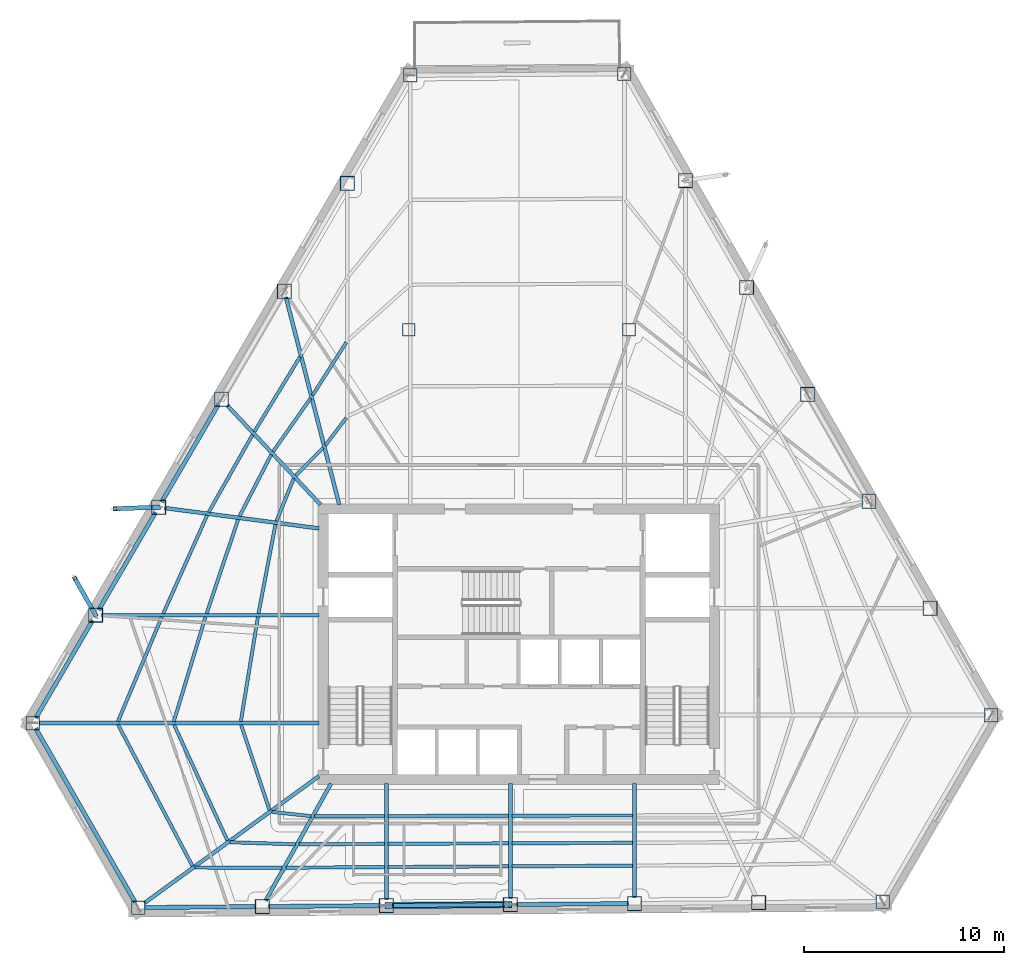
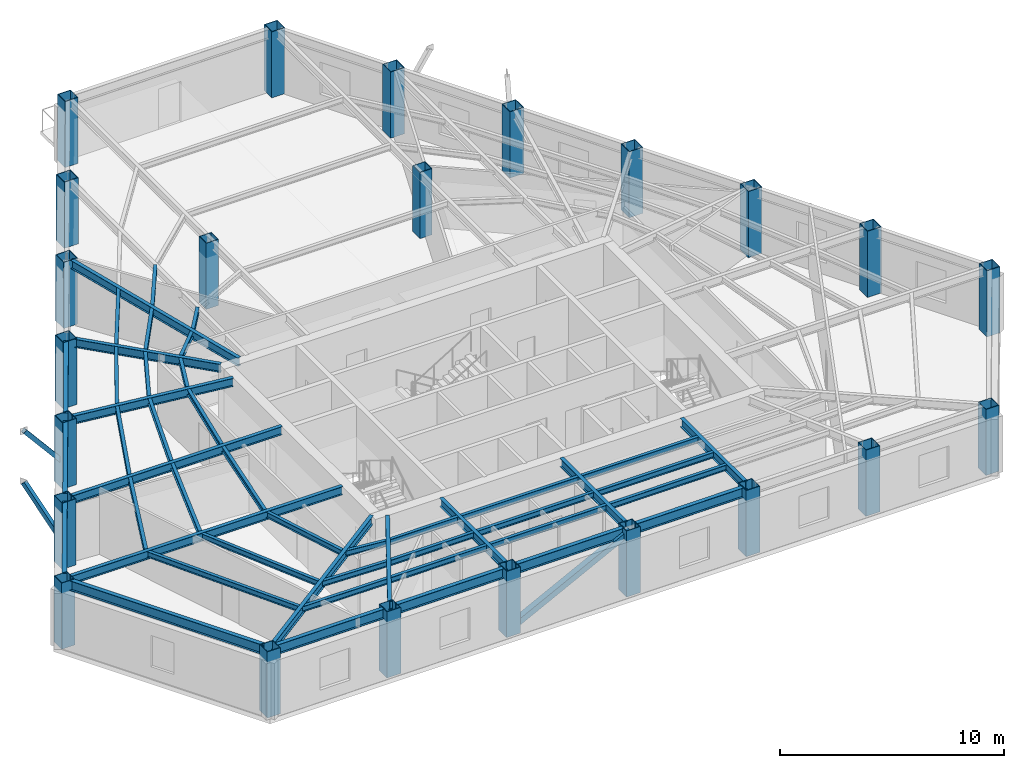
# One storey, part 1 of 12: 47 beams, 23 columns, 3 members.
"""IFC4 building model written with IfcOpenShell, lengths in metres."""

from ifc_helpers import new_model, si_unit, direction, frame, origin, origin_2d, place, context, subcontext, project, spatial, hollow_rectangle, i_section, extrude, material, material_profile, profile_set, type_object, element, save


model = new_model("IFC4")

# Units and contexts
model_context = context("Model", 3, precision=1e-05, world=origin(), true_north=direction((0.0, 1.0)))
body_context = subcontext(model_context, "Body", "Model", "MODEL_VIEW")
ifc_project = project(units=[si_unit("LENGTHUNIT", "METRE"), si_unit("AREAUNIT", "SQUARE_METRE"), si_unit("VOLUMEUNIT", "CUBIC_METRE"), si_unit("PLANEANGLEUNIT", "RADIAN"), si_unit("MASSUNIT", "GRAM", prefix="KILO")], contexts=[model_context])

# Site, building, storey
site_placement = place(None, origin())
site = spatial("IfcSite", under=ifc_project, at=site_placement, CompositionType="ELEMENT")
building_placement = place(site_placement, origin())
building = spatial("IfcBuilding", under=site, at=building_placement, Name="Kavelnor Concourse Tower", CompositionType="ELEMENT")
storey_placement = place(building_placement, frame((0.0, 0.0, 147.10009765625)))
storey = spatial("IfcBuildingStorey", under=building, at=storey_placement, Name="L37", CompositionType="ELEMENT", Elevation=147.10009765625)

# Columns
ifc_material = material(Name="Steel Grade 350", Category="steel")
ifc_material_profile_1 = material_profile(ifc_material, hollow_rectangle(XDim=0.679931640625, YDim=0.679931640625, WallThickness=0.030029296875, at=origin_2d()), Name="SHS 680x680x30")
ifc_profile_set_1 = profile_set([ifc_material_profile_1], Name="Steel Grade 350")
column_type_1 = type_object("IfcColumnType", Name="COL-FOLD-Z2", PredefinedType="COLUMN", material=ifc_profile_set_1)
for number, where, z_axis, x_axis, name in (
    (1, (32.57421875, 44.508544921875, 0.0), (0.0, 0.0, 1.0), (1.0, 0.0, 0.0), "L37 Perimeter Corner-Fold Column F0-B0"),
    (2, (13.721435546875, 12.155029296875, 0.0), (0.0, 0.0, 1.0), (1.0, 0.0, 0.0), "L37 Perimeter Corner-Fold Column F0-B6"),
    (3, (18.990234375, 2.943359375, 0.0), (0.0, 0.0, 1.0), (1.0, 0.0, 0.0), "L37 Perimeter Corner-Fold Column F1-B0"),
    (4, (56.16796875, 3.243408203125, 0.0), (0.0, 0.0, 1.0), (1.0, 0.0, 0.0), "L37 Perimeter Corner-Fold Column F1-B6"),
    (5, (61.593994140625, 12.5546875, 0.0), (0.0, 0.0, 1.0), (1.0, 0.0, 0.0), "L37 Perimeter Corner-Fold Column F2-B0"),
    (6, (43.268798828125, 44.594970703125, 0.0), (0.0, 0.0, 1.0), (1.0, 0.0, 0.0), "L37 Perimeter Corner-Fold Column F2-B6"),
):
    element("IfcColumn", number, at=place(storey_placement, frame(where, z_axis=z_axis, x_axis=x_axis)), inside=storey, type_object=column_type_1, Name=name, PredefinedType="COLUMN", context=body_context, shape_type="SweptSolid", body=[
        extrude(hollow_rectangle(XDim=0.679931640625, YDim=0.679931640625, WallThickness=0.030029296875, at=origin_2d()), origin(), (0.0, 0.0, 1.0), 3.599853515625),
    ])
ifc_material_profile_2 = material_profile(ifc_material, hollow_rectangle(XDim=0.719970703125, YDim=0.719970703125, WallThickness=0.031982421875, at=origin_2d()), Name="SHS 720x720x32")
ifc_profile_set_2 = profile_set([ifc_material_profile_2], Name="Steel Grade 350")
column_type_2 = type_object("IfcColumnType", Name="COL-TUBE-Z2", PredefinedType="COLUMN", material=ifc_profile_set_2)
for number, where, z_axis, x_axis, name in (
    (7, (29.431884765625, 39.1162109375, 0.0), (0.0, 0.0, 1.0), (1.0, 0.0, 0.0), "L37 Perimeter Framed-Tube Column F0-B1"),
    (8, (26.289794921875, 33.72412109375, 0.0), (0.0, 0.0, 1.0), (1.0, 0.0, 0.0), "L37 Perimeter Framed-Tube Column F0-B2"),
    (9, (23.147705078125, 28.331787109375, 0.0), (0.0, 0.0, 1.0), (1.0, 0.0, 0.0), "L37 Perimeter Framed-Tube Column F0-B3"),
    (10, (20.005615234375, 22.939697265625, 0.0), (0.0, 0.0, 1.0), (1.0, 0.0, 0.0), "L37 Perimeter Framed-Tube Column F0-B4"),
    (11, (16.863525390625, 17.54736328125, 0.0), (0.0, 0.0, 1.0), (1.0, 0.0, 0.0), "L37 Perimeter Framed-Tube Column F0-B5"),
    (12, (25.1865234375, 2.993408203125, 0.0), (0.0, 0.0, 1.0), (1.0, 0.0, 0.0), "L37 Perimeter Framed-Tube Column F1-B1"),
    (13, (31.3828125, 3.043212890625, 0.0), (0.0, 0.0, 1.0), (1.0, 0.0, 0.0), "L37 Perimeter Framed-Tube Column F1-B2"),
    (14, (37.5791015625, 3.09326171875, 0.0), (0.0, 0.0, 1.0), (1.0, 0.0, 0.0), "L37 Perimeter Framed-Tube Column F1-B3"),
    (15, (43.775390625, 3.143310546875, 0.0), (0.0, 0.0, 1.0), (1.0, 0.0, 0.0), "L37 Perimeter Framed-Tube Column F1-B4"),
    (16, (49.9716796875, 3.193359375, 0.0), (0.0, 0.0, 1.0), (1.0, 0.0, 0.0), "L37 Perimeter Framed-Tube Column F1-B5"),
    (17, (58.539794921875, 17.894775390625, 0.0), (0.0, 0.0, 1.0), (1.0, 0.0, 0.0), "L37 Perimeter Framed-Tube Column F2-B1"),
    (18, (55.485595703125, 23.23486328125, 0.0), (0.0, 0.0, 1.0), (1.0, 0.0, 0.0), "L37 Perimeter Framed-Tube Column F2-B2"),
    (19, (52.431396484375, 28.574951171875, 0.0), (0.0, 0.0, 1.0), (1.0, 0.0, 0.0), "L37 Perimeter Framed-Tube Column F2-B3"),
    (20, (49.377197265625, 33.914794921875, 0.0), (0.0, 0.0, 1.0), (1.0, 0.0, 0.0), "L37 Perimeter Framed-Tube Column F2-B4"),
    (21, (46.322998046875, 39.2548828125, 0.0), (0.0, 0.0, 1.0), (1.0, 0.0, 0.0), "L37 Perimeter Framed-Tube Column F2-B5"),
):
    element("IfcColumn", number, at=place(storey_placement, frame(where, z_axis=z_axis, x_axis=x_axis)), inside=storey, type_object=column_type_2, Name=name, PredefinedType="COLUMN", context=body_context, shape_type="SweptSolid", body=[
        extrude(hollow_rectangle(XDim=0.719970703125, YDim=0.719970703125, WallThickness=0.031982421875, at=origin_2d()), origin(), (0.0, 0.0, 1.0), 3.599853515625),
    ])
ifc_material_profile_3 = material_profile(ifc_material, hollow_rectangle(XDim=0.639892578125, YDim=0.639892578125, WallThickness=0.028076171875, at=origin_2d()), Name="SHS 640x640x28")
ifc_profile_set_3 = profile_set([ifc_material_profile_3], Name="Steel Grade 350")
column_type_3 = type_object("IfcColumnType", Name="COL-TUBE-Z3", PredefinedType="COLUMN", material=ifc_profile_set_3)
for number, where, z_axis, x_axis, name in (
    (22, (32.5, 31.800048828125, 0.0), (0.0, 0.0, 1.0), (1.0, 0.0, 0.0), "L37 North Interior Gravity Column BC-NW"),
    (23, (43.5, 31.800048828125, 0.0), (0.0, 0.0, 1.0), (1.0, 0.0, 0.0), "L37 North Interior Gravity Column BC-NE"),
):
    element("IfcColumn", number, at=place(storey_placement, frame(where, z_axis=z_axis, x_axis=x_axis)), inside=storey, type_object=column_type_3, Name=name, PredefinedType="COLUMN", context=body_context, shape_type="SweptSolid", body=[
        extrude(hollow_rectangle(XDim=0.639892578125, YDim=0.639892578125, WallThickness=0.028076171875, at=origin_2d()), origin(), (0.0, 0.0, 1.0), 3.599853515625),
    ])

# Beams
ifc_material_profile_4 = material_profile(ifc_material, i_section(OverallWidth=0.166015625, OverallDepth=0.306884765625, WebThickness=0.006591796875, FlangeThickness=0.01171875, at=origin_2d()), Name="310UB46")
ifc_profile_set_4 = profile_set([ifc_material_profile_4], Name="Steel Grade 350")
beam_type_1 = type_object("IfcBeamType", Name="BM-JOIST-310", PredefinedType="JOIST", material=ifc_profile_set_4)
beam_1_placement = place(storey_placement, frame((24.12841796875, 12.07080078125, 3.4462890625), z_axis=(0.31567246799, -0.948868216853, 0.0), x_axis=(0.948868216853, 0.31567246799, 0.0)))
element("IfcBeam", 24, at=beam_1_placement, inside=storey, type_object=beam_type_1, Name="L37 Secondary Composite Joist 01-1", PredefinedType="JOIST", context=body_context, shape_type="SweptSolid", body=[
    extrude(i_section(OverallWidth=0.166015625, OverallDepth=0.306884765625, WebThickness=0.006591796875, FlangeThickness=0.01171875, at=origin_2d()), origin(), (0.0, 0.0, 1.0), 4.48486328125),
])
beam_2_placement = place(storey_placement, frame((20.778076171875, 12.07421875, 3.4462890625), z_axis=(0.418542736468, -0.908197102919, 0.0), x_axis=(0.908197102919, 0.418542736468, 0.0)))
element("IfcBeam", 25, at=beam_2_placement, inside=storey, type_object=beam_type_1, Name="L37 Secondary Composite Joist 01-2", PredefinedType="JOIST", context=body_context, shape_type="SweptSolid", body=[
    extrude(i_section(OverallWidth=0.166015625, OverallDepth=0.306884765625, WebThickness=0.006591796875, FlangeThickness=0.01171875, at=origin_2d()), origin(), (0.0, 0.0, 1.0), 6.36865234375),
])
beam_3_placement = place(storey_placement, frame((17.982421875, 12.076416015625, 3.4462890625), z_axis=(0.465793123123, -0.884893646972, 0.0), x_axis=(0.884893646972, 0.465793123123, 0.0)))
element("IfcBeam", 26, at=beam_3_placement, inside=storey, type_object=beam_type_1, Name="L37 Secondary Composite Joist 01-3", PredefinedType="JOIST", context=body_context, shape_type="SweptSolid", body=[
    extrude(i_section(OverallWidth=0.166015625, OverallDepth=0.306884765625, WebThickness=0.006591796875, FlangeThickness=0.01171875, at=origin_2d()), origin(), (0.0, 0.0, 1.0), 7.9736328125),
])
beam_4_placement = place(storey_placement, frame((25.660888671875, 7.72119140625, 3.4462890625), z_axis=(0.994229973335, -0.107269567553, 0.0), x_axis=(0.107269567553, 0.994229973335, 0.0)))
element("IfcBeam", 27, at=beam_4_placement, inside=storey, type_object=beam_type_1, Name="L37 Secondary Composite Joist 02-1", PredefinedType="JOIST", context=body_context, shape_type="SweptSolid", body=[
    extrude(i_section(OverallWidth=0.166015625, OverallDepth=0.306884765625, WebThickness=0.006591796875, FlangeThickness=0.01171875, at=origin_2d()), origin(), (0.0, 0.0, 1.0), 1.96630859375),
])
beam_5_placement = place(storey_placement, frame((23.56982421875, 6.20654296875, 3.4462890625), z_axis=(0.999494855322, -0.031781034978, 0.0), x_axis=(0.031781034978, 0.999494855322, 0.0)))
element("IfcBeam", 28, at=beam_5_placement, inside=storey, type_object=beam_type_1, Name="L37 Secondary Composite Joist 02-2", PredefinedType="JOIST", context=body_context, shape_type="SweptSolid", body=[
    extrude(i_section(OverallWidth=0.166015625, OverallDepth=0.306884765625, WebThickness=0.006591796875, FlangeThickness=0.01171875, at=origin_2d()), origin(), (0.0, 0.0, 1.0), 3.264892578125),
])
beam_6_placement = place(storey_placement, frame((21.826904296875, 4.941650390625, 3.4462890625), z_axis=(0.999997962601, -0.002018612014, 0.0), x_axis=(0.002018612014, 0.999997962601, 0.0)))
element("IfcBeam", 29, at=beam_6_placement, inside=storey, type_object=beam_type_1, Name="L37 Secondary Composite Joist 02-3", PredefinedType="JOIST", context=body_context, shape_type="SweptSolid", body=[
    extrude(i_section(OverallWidth=0.166015625, OverallDepth=0.306884765625, WebThickness=0.006591796875, FlangeThickness=0.01171875, at=origin_2d()), origin(), (0.0, 0.0, 1.0), 4.35400390625),
])
beam_7_placement = place(storey_placement, frame((27.79345703125, 7.501220703125, 3.4462890625), z_axis=(0.999990345534, 0.004394182309, 0.0), x_axis=(-0.004394182309, 0.999990345534, 0.0)))
element("IfcBeam", 30, at=beam_7_placement, inside=storey, type_object=beam_type_1, Name="L37 Secondary Composite Joist 03-1", PredefinedType="JOIST", context=body_context, shape_type="SweptSolid", body=[
    extrude(i_section(OverallWidth=0.166015625, OverallDepth=0.306884765625, WebThickness=0.006591796875, FlangeThickness=0.01171875, at=origin_2d()), origin(), (0.0, 0.0, 1.0), 3.500244140625),
])
beam_8_placement = place(storey_placement, frame((27.010986328125, 6.100341796875, 3.4462890625), z_axis=(0.999983095547, 0.005814518056, 0.0), x_axis=(-0.005814518056, 0.999983095547, 0.0)))
element("IfcBeam", 31, at=beam_8_placement, inside=storey, type_object=beam_type_1, Name="L37 Secondary Composite Joist 03-2", PredefinedType="JOIST", context=body_context, shape_type="SweptSolid", body=[
    extrude(i_section(OverallWidth=0.166015625, OverallDepth=0.306884765625, WebThickness=0.006591796875, FlangeThickness=0.01171875, at=origin_2d()), origin(), (0.0, 0.0, 1.0), 4.28271484375),
])
beam_9_placement = place(storey_placement, frame((26.35888671875, 4.93310546875, 3.4462890625), z_axis=(0.999978026273, 0.00662925125, 0.0), x_axis=(-0.00662925125, 0.999978026273, 0.0)))
element("IfcBeam", 32, at=beam_9_placement, inside=storey, type_object=beam_type_1, Name="L37 Secondary Composite Joist 03-3", PredefinedType="JOIST", context=body_context, shape_type="SweptSolid", body=[
    extrude(i_section(OverallWidth=0.166015625, OverallDepth=0.306884765625, WebThickness=0.006591796875, FlangeThickness=0.01171875, at=origin_2d()), origin(), (0.0, 0.0, 1.0), 4.934814453125),
])
for number, where, z_axis, x_axis, name in (
    (33, (31.4716796875, 7.51708984375, 3.4462890625), (0.99999741967, 0.002271707253, 0.0), (-0.002271707253, 0.99999741967, 0.0), "L37 Secondary Composite Joist 04-1"),
    (34, (31.4716796875, 6.126220703125, 3.4462890625), (0.999991270896, 0.004178293006, 0.0), (-0.004178293006, 0.999991270896, 0.0), "L37 Secondary Composite Joist 04-2"),
    (35, (31.4716796875, 4.966796875, 3.4462890625), (0.999982938595, 0.005841448345, 0.0), (-0.005841448345, 0.999982938595, 0.0), "L37 Secondary Composite Joist 04-3"),
):
    element("IfcBeam", number, at=place(storey_placement, frame(where, z_axis=z_axis, x_axis=x_axis)), inside=storey, type_object=beam_type_1, Name=name, PredefinedType="JOIST", context=body_context, shape_type="SweptSolid", body=[
        extrude(i_section(OverallWidth=0.166015625, OverallDepth=0.306884765625, WebThickness=0.006591796875, FlangeThickness=0.01171875, at=origin_2d()), origin(), (0.0, 0.0, 1.0), 6.018310546875),
    ])
for number, where, z_axis, x_axis, name in (
    (36, (37.668212890625, 7.531005859375, 3.4462890625), (0.99999741946, 0.002271799411, 0.0), (-0.002271799411, 0.99999741946, 0.0), "L37 Secondary Composite Joist 05-1"),
    (37, (37.668212890625, 6.152099609375, 3.4462890625), (0.999991270187, 0.004178462508, 0.0), (-0.004178462508, 0.999991270187, 0.0), "L37 Secondary Composite Joist 05-2"),
    (38, (37.668212890625, 5.0029296875, 3.4462890625), (0.999983173365, 0.005801119424, 0.0), (-0.005801119424, 0.999983173365, 0.0), "L37 Secondary Composite Joist 05-3"),
):
    element("IfcBeam", number, at=place(storey_placement, frame(where, z_axis=z_axis, x_axis=x_axis)), inside=storey, type_object=beam_type_1, Name=name, PredefinedType="JOIST", context=body_context, shape_type="SweptSolid", body=[
        extrude(i_section(OverallWidth=0.166015625, OverallDepth=0.306884765625, WebThickness=0.006591796875, FlangeThickness=0.01171875, at=origin_2d()), origin(), (0.0, 0.0, 1.0), 6.01806640625),
    ])
beam_10_placement = place(storey_placement, frame((29.378173828125, 27.40087890625, 3.4462890625), z_axis=(-0.605285039855, -0.796008806816, 0.0), x_axis=(0.796008806816, -0.605285039855, 0.0)))
element("IfcBeam", 39, at=beam_10_placement, inside=storey, type_object=beam_type_1, Name="L37 Secondary Composite Joist 17-1", PredefinedType="JOIST", context=body_context, shape_type="SweptSolid", body=[
    extrude(i_section(OverallWidth=0.166015625, OverallDepth=0.306884765625, WebThickness=0.006591796875, FlangeThickness=0.01171875, at=origin_2d()), origin(), (0.0, 0.0, 1.0), 1.7177734375),
])
beam_11_placement = place(storey_placement, frame((29.38427734375, 31.17822265625, 3.4462890625), z_axis=(-0.537357347621, -0.843354659059, 0.0), x_axis=(0.843354659059, -0.537357347621, 0.0)))
element("IfcBeam", 40, at=beam_11_placement, inside=storey, type_object=beam_type_1, Name="L37 Secondary Composite Joist 17-2", PredefinedType="JOIST", context=body_context, shape_type="SweptSolid", body=[
    extrude(i_section(OverallWidth=0.166015625, OverallDepth=0.306884765625, WebThickness=0.006591796875, FlangeThickness=0.01171875, at=origin_2d()), origin(), (0.0, 0.0, 1.0), 3.146728515625),
])
beam_12_placement = place(storey_placement, frame((28.221923828125, 25.8994140625, 3.4462890625), z_axis=(-0.704716864961, -0.709488647012, 0.0), x_axis=(0.709488647012, -0.704716864961, 0.0)))
element("IfcBeam", 41, at=beam_12_placement, inside=storey, type_object=beam_type_1, Name="L37 Secondary Composite Joist 18-1", PredefinedType="JOIST", context=body_context, shape_type="SweptSolid", body=[
    extrude(i_section(OverallWidth=0.166015625, OverallDepth=0.306884765625, WebThickness=0.006591796875, FlangeThickness=0.01171875, at=origin_2d()), origin(), (0.0, 0.0, 1.0), 1.944091796875),
])
beam_13_placement = place(storey_placement, frame((27.59423828125, 28.37646484375, 3.4462890625), z_axis=(-0.575325951893, -0.817924231869, 0.0), x_axis=(0.817924231869, -0.575325951893, 0.0)))
element("IfcBeam", 42, at=beam_13_placement, inside=storey, type_object=beam_type_1, Name="L37 Secondary Composite Joist 18-2", PredefinedType="JOIST", context=body_context, shape_type="SweptSolid", body=[
    extrude(i_section(OverallWidth=0.166015625, OverallDepth=0.306884765625, WebThickness=0.006591796875, FlangeThickness=0.01171875, at=origin_2d()), origin(), (0.0, 0.0, 1.0), 3.25048828125),
])
beam_14_placement = place(storey_placement, frame((27.066650390625, 30.445556640625, 3.4462890625), z_axis=(-0.520711611212, -0.853732638447, 0.0), x_axis=(0.853732638447, -0.520711611212, 0.0)))
element("IfcBeam", 43, at=beam_14_placement, inside=storey, type_object=beam_type_1, Name="L37 Secondary Composite Joist 18-3", PredefinedType="JOIST", context=body_context, shape_type="SweptSolid", body=[
    extrude(i_section(OverallWidth=0.166015625, OverallDepth=0.306884765625, WebThickness=0.006591796875, FlangeThickness=0.01171875, at=origin_2d()), origin(), (0.0, 0.0, 1.0), 4.37451171875),
])
beam_15_placement = place(storey_placement, frame((26.755615234375, 24.37451171875, 3.4462890625), z_axis=(-0.375789075578, -0.926705223184, 0.0), x_axis=(0.926705223184, -0.375789075578, 0.0)))
element("IfcBeam", 44, at=beam_15_placement, inside=storey, type_object=beam_type_1, Name="L37 Secondary Composite Joist 19-1", PredefinedType="JOIST", context=body_context, shape_type="SweptSolid", body=[
    extrude(i_section(OverallWidth=0.166015625, OverallDepth=0.306884765625, WebThickness=0.006591796875, FlangeThickness=0.01171875, at=origin_2d()), origin(), (0.0, 0.0, 1.0), 2.294677734375),
])
beam_16_placement = place(storey_placement, frame((25.632080078125, 25.56591796875, 3.4462890625), z_axis=(-0.457486726825, -0.889216449903, 0.0), x_axis=(0.889216449903, -0.457486726825, 0.0)))
element("IfcBeam", 45, at=beam_16_placement, inside=storey, type_object=beam_type_1, Name="L37 Secondary Composite Joist 19-2", PredefinedType="JOIST", context=body_context, shape_type="SweptSolid", body=[
    extrude(i_section(OverallWidth=0.166015625, OverallDepth=0.306884765625, WebThickness=0.006591796875, FlangeThickness=0.01171875, at=origin_2d()), origin(), (0.0, 0.0, 1.0), 3.459716796875),
])
beam_17_placement = place(storey_placement, frame((24.698486328125, 26.5576171875, 3.4462890625), z_axis=(-0.492672820124, -0.87021462428, 0.0), x_axis=(0.87021462428, -0.492672820124, 0.0)))
element("IfcBeam", 46, at=beam_17_placement, inside=storey, type_object=beam_type_1, Name="L37 Secondary Composite Joist 19-3", PredefinedType="JOIST", context=body_context, shape_type="SweptSolid", body=[
    extrude(i_section(OverallWidth=0.166015625, OverallDepth=0.306884765625, WebThickness=0.006591796875, FlangeThickness=0.01171875, at=origin_2d()), origin(), (0.0, 0.0, 1.0), 4.442626953125),
])
beam_18_placement = place(storey_placement, frame((25.84326171875, 22.078125, 3.4462890625), z_axis=(-0.18712946945, -0.9823352593, 0.0), x_axis=(0.9823352593, -0.18712946945, 0.0)))
element("IfcBeam", 47, at=beam_18_placement, inside=storey, type_object=beam_type_1, Name="L37 Secondary Composite Joist 20-1", PredefinedType="JOIST", context=body_context, shape_type="SweptSolid", body=[
    extrude(i_section(OverallWidth=0.166015625, OverallDepth=0.306884765625, WebThickness=0.006591796875, FlangeThickness=0.01171875, at=origin_2d()), origin(), (0.0, 0.0, 1.0), 4.523193359375),
])
beam_19_placement = place(storey_placement, frame((23.980224609375, 22.325927734375, 3.4462890625), z_axis=(-0.318474936535, -0.947931281686, 0.0), x_axis=(0.947931281686, -0.318474936535, 0.0)))
element("IfcBeam", 48, at=beam_19_placement, inside=storey, type_object=beam_type_1, Name="L37 Secondary Composite Joist 20-2", PredefinedType="JOIST", context=body_context, shape_type="SweptSolid", body=[
    extrude(i_section(OverallWidth=0.166015625, OverallDepth=0.306884765625, WebThickness=0.006591796875, FlangeThickness=0.01171875, at=origin_2d()), origin(), (0.0, 0.0, 1.0), 4.9521484375),
])
beam_20_placement = place(storey_placement, frame((22.429443359375, 22.532958984375, 3.4462890625), z_axis=(-0.407694156592, -0.913118543608, 0.0), x_axis=(0.913118543608, -0.407694156592, 0.0)))
element("IfcBeam", 49, at=beam_20_placement, inside=storey, type_object=beam_type_1, Name="L37 Secondary Composite Joist 20-3", PredefinedType="JOIST", context=body_context, shape_type="SweptSolid", body=[
    extrude(i_section(OverallWidth=0.166015625, OverallDepth=0.306884765625, WebThickness=0.006591796875, FlangeThickness=0.01171875, at=origin_2d()), origin(), (0.0, 0.0, 1.0), 5.370849609375),
])
beam_21_placement = place(storey_placement, frame((24.9658203125, 17.45947265625, 3.4462890625), z_axis=(-0.161019879017, -0.98695116321, 0.0), x_axis=(0.98695116321, -0.161019879017, 0.0)))
element("IfcBeam", 50, at=beam_21_placement, inside=storey, type_object=beam_type_1, Name="L37 Secondary Composite Joist 21-1", PredefinedType="JOIST", context=body_context, shape_type="SweptSolid", body=[
    extrude(i_section(OverallWidth=0.166015625, OverallDepth=0.306884765625, WebThickness=0.006591796875, FlangeThickness=0.01171875, at=origin_2d()), origin(), (0.0, 0.0, 1.0), 5.28564453125),
])
beam_22_placement = place(storey_placement, frame((22.348876953125, 17.462158203125, 3.4462890625), z_axis=(-0.289986283841, -0.957030801586, 0.0), x_axis=(0.957030801586, -0.289986283841, 0.0)))
element("IfcBeam", 51, at=beam_22_placement, inside=storey, type_object=beam_type_1, Name="L37 Secondary Composite Joist 21-2", PredefinedType="JOIST", context=body_context, shape_type="SweptSolid", body=[
    extrude(i_section(OverallWidth=0.166015625, OverallDepth=0.306884765625, WebThickness=0.006591796875, FlangeThickness=0.01171875, at=origin_2d()), origin(), (0.0, 0.0, 1.0), 5.456298828125),
])
beam_23_placement = place(storey_placement, frame((20.1689453125, 17.465087890625, 3.4462890625), z_axis=(-0.386886159369, -0.922127485594, 0.0), x_axis=(0.922127485594, -0.386886159369, 0.0)))
element("IfcBeam", 52, at=beam_23_placement, inside=storey, type_object=beam_type_1, Name="L37 Secondary Composite Joist 21-3", PredefinedType="JOIST", context=body_context, shape_type="SweptSolid", body=[
    extrude(i_section(OverallWidth=0.166015625, OverallDepth=0.306884765625, WebThickness=0.006591796875, FlangeThickness=0.01171875, at=origin_2d()), origin(), (0.0, 0.0, 1.0), 5.669189453125),
])
ifc_material_profile_5 = material_profile(ifc_material, i_section(OverallWidth=0.18994140625, OverallDepth=0.4541015625, WebThickness=0.008544921875, FlangeThickness=0.0126953125, at=origin_2d()), Name="460UB67")
ifc_profile_set_5 = profile_set([ifc_material_profile_5], Name="Steel Grade 350")
beam_type_2 = type_object("IfcBeamType", Name="BM-PRIMARY-460", PredefinedType="BEAM", material=ifc_profile_set_5)
beam_24_placement = place(storey_placement, frame((29.0302734375, 23.061279296875, 3.372802734375), z_axis=(-0.248925450544, 0.968522648197, 0.0), x_axis=(-0.968522648197, -0.248925450544, 0.0)))
element("IfcBeam", 53, at=beam_24_placement, inside=storey, type_object=beam_type_2, Name="L37 Primary Floor Girder F0-B2", PredefinedType="BEAM", context=body_context, shape_type="SweptSolid", body=[
    extrude(i_section(OverallWidth=0.18994140625, OverallDepth=0.4541015625, WebThickness=0.008544921875, FlangeThickness=0.0126953125, at=origin_2d()), origin(), (0.0, 0.0, 1.0), 10.6982421875),
])
beam_25_placement = place(storey_placement, frame((28.091796875, 23.07080078125, 3.372802734375), z_axis=(-0.684806203159, 0.728725232248, 0.0), x_axis=(-0.728725232248, -0.684806203159, 0.0)))
element("IfcBeam", 54, at=beam_25_placement, inside=storey, type_object=beam_type_2, Name="L37 Primary Floor Girder F0-B3", PredefinedType="BEAM", context=body_context, shape_type="SweptSolid", body=[
    extrude(i_section(OverallWidth=0.18994140625, OverallDepth=0.4541015625, WebThickness=0.008544921875, FlangeThickness=0.0126953125, at=origin_2d()), origin(), (0.0, 0.0, 1.0), 6.79296875),
])
beam_26_placement = place(storey_placement, frame((28.019775390625, 21.8798828125, 3.372802734375), z_axis=(-0.991370363845, 0.131090814665, 0.0), x_axis=(-0.131090814665, -0.991370363845, 0.0)))
element("IfcBeam", 55, at=beam_26_placement, inside=storey, type_object=beam_type_2, Name="L37 Primary Floor Girder F0-B4", PredefinedType="BEAM", context=body_context, shape_type="SweptSolid", body=[
    extrude(i_section(OverallWidth=0.18994140625, OverallDepth=0.4541015625, WebThickness=0.008544921875, FlangeThickness=0.0126953125, at=origin_2d()), origin(), (0.0, 0.0, 1.0), 7.781005859375),
])
beam_27_placement = place(storey_placement, frame((28.02001953125, 17.54736328125, 3.372802734375), z_axis=(-1.0, 0.0, 0.0), x_axis=(0.0, -1.0, 0.0)))
element("IfcBeam", 56, at=beam_27_placement, inside=storey, type_object=beam_type_2, Name="L37 Primary Floor Girder F0-B5", PredefinedType="BEAM", context=body_context, shape_type="SweptSolid", body=[
    extrude(i_section(OverallWidth=0.18994140625, OverallDepth=0.4541015625, WebThickness=0.008544921875, FlangeThickness=0.0126953125, at=origin_2d()), origin(), (0.0, 0.0, 1.0), 10.8564453125),
])
beam_28_placement = place(storey_placement, frame((28.02001953125, 12.155029296875, 3.372802734375), z_axis=(-1.0, 0.0, 0.0), x_axis=(0.0, -1.0, 0.0)))
element("IfcBeam", 57, at=beam_28_placement, inside=storey, type_object=beam_type_2, Name="L37 Primary Floor Girder F0-B6", PredefinedType="BEAM", context=body_context, shape_type="SweptSolid", body=[
    extrude(i_section(OverallWidth=0.18994140625, OverallDepth=0.4541015625, WebThickness=0.008544921875, FlangeThickness=0.0126953125, at=origin_2d()), origin(), (0.0, 0.0, 1.0), 13.99853515625),
])
beam_29_placement = place(storey_placement, frame((28.01220703125, 9.50537109375, 3.372802734375), z_axis=(-0.808706690874, -0.588212111517, 0.0), x_axis=(0.588212111517, -0.808706690874, 0.0)))
element("IfcBeam", 58, at=beam_29_placement, inside=storey, type_object=beam_type_2, Name="L37 Primary Floor Girder F1-B0", PredefinedType="BEAM", context=body_context, shape_type="SweptSolid", body=[
    extrude(i_section(OverallWidth=0.18994140625, OverallDepth=0.4541015625, WebThickness=0.008544921875, FlangeThickness=0.0126953125, at=origin_2d()), origin(), (0.0, 0.0, 1.0), 10.775634765625),
])
beam_30_placement = place(storey_placement, frame((28.617431640625, 9.135009765625, 3.372802734375), z_axis=(-0.48768794483, -0.873018022991, 0.0), x_axis=(0.873018022991, -0.48768794483, 0.0)))
element("IfcBeam", 59, at=beam_30_placement, inside=storey, type_object=beam_type_2, Name="L37 Primary Floor Girder F1-B1", PredefinedType="BEAM", context=body_context, shape_type="SweptSolid", body=[
    extrude(i_section(OverallWidth=0.18994140625, OverallDepth=0.4541015625, WebThickness=0.008544921875, FlangeThickness=0.0126953125, at=origin_2d()), origin(), (0.0, 0.0, 1.0), 6.685546875),
])
beam_31_placement = place(storey_placement, frame((31.3828125, 9.139892578125, 3.372802734375), z_axis=(0.0, -1.0, 0.0), x_axis=(1.0, 0.0, 0.0)))
element("IfcBeam", 60, at=beam_31_placement, inside=storey, type_object=beam_type_2, Name="L37 Primary Floor Girder F1-B2", PredefinedType="BEAM", context=body_context, shape_type="SweptSolid", body=[
    extrude(i_section(OverallWidth=0.18994140625, OverallDepth=0.4541015625, WebThickness=0.008544921875, FlangeThickness=0.0126953125, at=origin_2d()), origin(), (0.0, 0.0, 1.0), 5.796630859375),
])
beam_32_placement = place(storey_placement, frame((37.5791015625, 9.139892578125, 3.372802734375), z_axis=(0.0, -1.0, 0.0), x_axis=(1.0, 0.0, 0.0)))
element("IfcBeam", 61, at=beam_32_placement, inside=storey, type_object=beam_type_2, Name="L37 Primary Floor Girder F1-B3", PredefinedType="BEAM", context=body_context, shape_type="SweptSolid", body=[
    extrude(i_section(OverallWidth=0.18994140625, OverallDepth=0.4541015625, WebThickness=0.008544921875, FlangeThickness=0.0126953125, at=origin_2d()), origin(), (0.0, 0.0, 1.0), 5.74658203125),
])
beam_33_placement = place(storey_placement, frame((43.775390625, 9.139892578125, 3.372802734375), z_axis=(0.0, -1.0, 0.0), x_axis=(1.0, 0.0, 0.0)))
element("IfcBeam", 62, at=beam_33_placement, inside=storey, type_object=beam_type_2, Name="L37 Primary Floor Girder F1-B4", PredefinedType="BEAM", context=body_context, shape_type="SweptSolid", body=[
    extrude(i_section(OverallWidth=0.18994140625, OverallDepth=0.4541015625, WebThickness=0.008544921875, FlangeThickness=0.0126953125, at=origin_2d()), origin(), (0.0, 0.0, 1.0), 5.696533203125),
])
ifc_material_profile_6 = material_profile(ifc_material, i_section(OverallWidth=0.208984375, OverallDepth=0.532958984375, WebThickness=0.01025390625, FlangeThickness=0.015625, at=origin_2d()), Name="530UB92")
ifc_profile_set_6 = profile_set([ifc_material_profile_6], Name="Steel Grade 350")
beam_type_3 = type_object("IfcBeamType", Name="BM-SPANDREL-Z2", PredefinedType="SPANDREL", material=ifc_profile_set_6)
for number, where, z_axis, x_axis, name in (
    (63, (22.994140625, 28.068359375, 3.33349609375), (-0.503461211705, -0.864017828699, 0.0), (0.864017828699, -0.503461211705, 0.0), "L37 Perimeter Tube Spandrel Beam F0-B3"),
    (64, (19.85205078125, 22.676025390625, 3.33349609375), (-0.503461211705, -0.864017828699, 0.0), (0.864017828699, -0.503461211705, 0.0), "L37 Perimeter Tube Spandrel Beam F0-B4"),
):
    element("IfcBeam", number, at=place(storey_placement, frame(where, z_axis=z_axis, x_axis=x_axis)), inside=storey, type_object=beam_type_3, Name=name, PredefinedType="SPANDREL", context=body_context, shape_type="SweptSolid", body=[
        extrude(i_section(OverallWidth=0.208984375, OverallDepth=0.532958984375, WebThickness=0.01025390625, FlangeThickness=0.015625, at=origin_2d()), origin(), (0.0, 0.0, 1.0), 5.630859375),
    ])
beam_34_placement = place(storey_placement, frame((16.7099609375, 17.28369140625, 3.33349609375), z_axis=(-0.503480072553, -0.86400683825, 0.0), x_axis=(0.86400683825, -0.503480072553, 0.0)))
element("IfcBeam", 65, at=beam_34_placement, inside=storey, type_object=beam_type_3, Name="L37 Perimeter Tube Spandrel Beam F0-B5", PredefinedType="SPANDREL", context=body_context, shape_type="SweptSolid", body=[
    extrude(i_section(OverallWidth=0.208984375, OverallDepth=0.532958984375, WebThickness=0.01025390625, FlangeThickness=0.015625, at=origin_2d()), origin(), (0.0, 0.0, 1.0), 5.630615234375),
])
for number, where, z_axis, x_axis, name in (
    (66, (19.295166015625, 2.94580078125, 3.33349609375), (0.999967670676, 0.008040995167, 0.0), (-0.008040995167, 0.999967670676, 0.0), "L37 Perimeter Tube Spandrel Beam F1-B0"),
    (67, (25.491455078125, 2.995849609375, 3.33349609375), (0.999967670676, 0.008040995167, 0.0), (-0.008040995167, 0.999967670676, 0.0), "L37 Perimeter Tube Spandrel Beam F1-B1"),
    (68, (31.687744140625, 3.0458984375, 3.33349609375), (0.999967670676, 0.008040995167, 0.0), (-0.008040995167, 0.999967670676, 0.0), "L37 Perimeter Tube Spandrel Beam F1-B2"),
    (69, (37.884033203125, 3.095703125, 3.33349609375), (0.999967318332, 0.008084693379, 0.0), (-0.008084693379, 0.999967318332, 0.0), "L37 Perimeter Tube Spandrel Beam F1-B3"),
):
    element("IfcBeam", number, at=place(storey_placement, frame(where, z_axis=z_axis, x_axis=x_axis)), inside=storey, type_object=beam_type_3, Name=name, PredefinedType="SPANDREL", context=body_context, shape_type="SweptSolid", body=[
        extrude(i_section(OverallWidth=0.208984375, OverallDepth=0.532958984375, WebThickness=0.01025390625, FlangeThickness=0.015625, at=origin_2d()), origin(), (0.0, 0.0, 1.0), 5.586669921875),
    ])
beam_35_placement = place(storey_placement, frame((13.872802734375, 11.890380859375, 3.33349609375), z_axis=(0.496493759286, -0.86804029111, 0.0), x_axis=(0.86804029111, 0.496493759286, 0.0)))
element("IfcBeam", 70, at=beam_35_placement, inside=storey, type_object=beam_type_3, Name="L37 Chamfer Facet Spandrel Beam C1", PredefinedType="SPANDREL", context=body_context, shape_type="SweptSolid", body=[
    extrude(i_section(OverallWidth=0.208984375, OverallDepth=0.532958984375, WebThickness=0.01025390625, FlangeThickness=0.015625, at=origin_2d()), origin(), (0.0, 0.0, 1.0), 10.002197265625),
])

# Members
ifc_material_profile_7 = material_profile(ifc_material, hollow_rectangle(XDim=0.219970703125, YDim=0.219970703125, WallThickness=0.013916015625, at=origin_2d()), Name="SHS 220x220x14")
ifc_profile_set_7 = profile_set([ifc_material_profile_7], Name="Steel Grade 350")
member_type_1 = type_object("IfcMemberType", Name="MBR-BALC-STRUT-220", PredefinedType="STRUT", material=ifc_profile_set_7)
member_1_placement = place(storey_placement, frame((20.005615234375, 22.939697265625, 1.0498046875), z_axis=(-0.642615162095, -0.022609603045, 0.765855442819), x_axis=(0.035161980599, -0.999381626367, 0.0)))
element("IfcMember", 71, at=member_1_placement, inside=storey, type_object=member_type_1, Name="L37 Tree Balcony Raking Knee Strut 2-A", PredefinedType="STRUT", context=body_context, shape_type="SweptSolid", body=[
    extrude(hollow_rectangle(XDim=0.219970703125, YDim=0.219970703125, WallThickness=0.013916015625, at=origin_2d()), origin(), (0.0, 0.0, 1.0), 3.4013671875),
])
member_2_placement = place(storey_placement, frame((16.863525390625, 17.54736328125, 1.0498046875), z_axis=(-0.311318243044, 0.550938951326, 0.774304348083), x_axis=(-0.870618363845, -0.491959006967, 0.0)))
element("IfcMember", 72, at=member_2_placement, inside=storey, type_object=member_type_1, Name="L37 Tree Balcony Raking Knee Strut 2-B", PredefinedType="STRUT", context=body_context, shape_type="SweptSolid", body=[
    extrude(hollow_rectangle(XDim=0.219970703125, YDim=0.219970703125, WallThickness=0.013916015625, at=origin_2d()), origin(), (0.0, 0.0, 1.0), 3.3642578125),
])
ifc_material_profile_8 = material_profile(ifc_material, hollow_rectangle(XDim=0.320068359375, YDim=0.320068359375, WallThickness=0.01806640625, at=origin_2d()), Name="SHS 320x320x18")
ifc_profile_set_8 = profile_set([ifc_material_profile_8], Name="Steel Grade 350")
member_type_2 = type_object("IfcMemberType", Name="MBR-TUBE-DIAG-Z2", PredefinedType="BRACE", material=ifc_profile_set_8)
member_3_placement = place(storey_placement, frame((31.3828125, 3.043212890625, 0.219970703125), z_axis=(0.893514958751, 0.007217122401, 0.448975424308), x_axis=(-0.00807696269, 0.999967380805, 0.0)))
element("IfcMember", 73, at=member_3_placement, inside=storey, type_object=member_type_2, Name="L37 Framed-Tube Bracing Diagonal F1-B2", PredefinedType="BRACE", context=body_context, shape_type="SweptSolid", body=[
    extrude(hollow_rectangle(XDim=0.320068359375, YDim=0.320068359375, WallThickness=0.01806640625, at=origin_2d()), origin(), (0.0, 0.0, 1.0), 6.934814453125),
])

save(model, "model.ifc")
